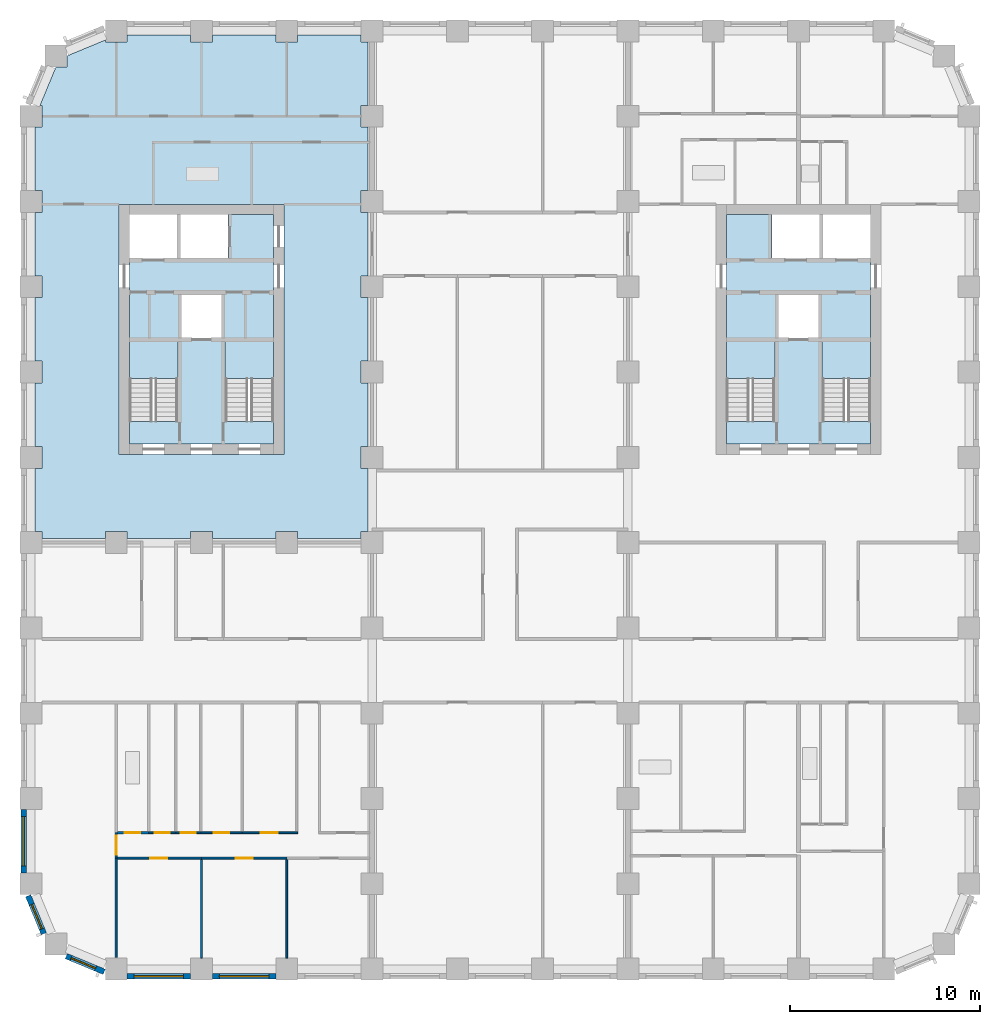
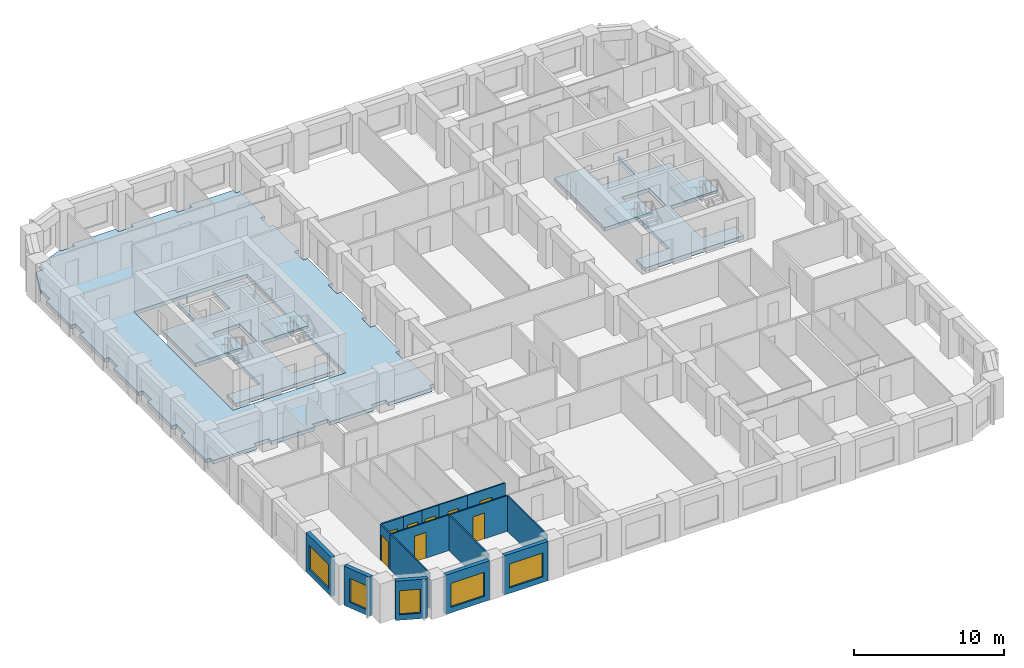
# One storey, part 2 of 13: 16 walls, 8 doors, 7 slabs, 5 windows, 13 openings, 4 elements without a shape of their own.
"""IFC4 building model written with IfcOpenShell, lengths in metres."""

from ifc_helpers import new_model, si_unit, direction, frame, frame_2d, origin, place, context, subcontext, project, spatial, polyline, rectangle, outline, extrude, material, layer, layer_set, type_object, element, fill, aggregate, save


model = new_model("IFC4")

# Units and contexts
model_context = context("Model", 3, precision=1e-05, world=origin(), true_north=direction((0.0, 1.0)))
body_context = subcontext(model_context, "Body", "Model", "MODEL_VIEW")
ifc_project = project(units=[si_unit("LENGTHUNIT", "METRE"), si_unit("AREAUNIT", "SQUARE_METRE"), si_unit("VOLUMEUNIT", "CUBIC_METRE"), si_unit("PLANEANGLEUNIT", "RADIAN"), si_unit("MASSUNIT", "GRAM", prefix="KILO")], contexts=[model_context])

# Site, building, storey
site_placement = place(None, origin())
site = spatial("IfcSite", under=ifc_project, at=site_placement, CompositionType="ELEMENT")
building_placement = place(site_placement, origin())
building = spatial("IfcBuilding", under=site, at=building_placement, Name="Girih Gate Residences", CompositionType="ELEMENT")
storey_placement = place(building_placement, frame((0.0, 0.0, 99.199951171875)))
storey = spatial("IfcBuildingStorey", under=building, at=storey_placement, Name="L27", CompositionType="ELEMENT", Elevation=99.199951171875)

# Slabs
ifc_material_1 = material(Name="Concrete C40/50", Category="concrete")
ifc_layer_1 = layer(ifc_material_1, 0.300048828125)
ifc_layer_set_1 = layer_set([ifc_layer_1], Name="Core floor slab 300")
slab_type_1 = type_object("IfcSlabType", Name="Core floor slab 300", PredefinedType="FLOOR", material=ifc_layer_set_1)
slab_1_placement = place(storey_placement, frame((0.0, 0.0, -0.300048828125)))
element("IfcSlab", 1, at=slab_1_placement, inside=storey, type_object=slab_type_1, Name="L27 W core floor", PredefinedType="FLOOR", context=body_context, shape_type="SweptSolid", body=[
    extrude(outline(polyline([(12.800048828125, 27.699951171875), (5.199951171875, 27.699951171875), (5.199951171875, 28.900634765625), (7.75, 28.900634765625), (7.75, 33.10009765625), (5.199951171875, 33.10009765625), (5.199951171875, 37.5), (7.699951171875, 37.5), (7.699951171875, 39.800048828125), (7.89990234375, 39.800048828125), (7.89990234375, 37.5), (10.39990234375, 37.5), (10.39990234375, 39.800048828125), (12.800048828125, 39.800048828125), (12.800048828125, 33.10009765625), (10.25, 33.10009765625), (10.25, 28.900634765625), (12.800048828125, 28.900634765625), (12.800048828125, 27.699951171875)]), holes=[polyline([(7.949951171875, 33.300048828125), (10.050048828125, 33.300048828125), (10.050048828125, 35.60009765625), (7.949951171875, 35.60009765625), (7.949951171875, 33.300048828125)])]), origin(), (0.0, 0.0, 1.0), 0.300048828125),
])
slab_2_placement = place(storey_placement, frame((0.0, 0.0, -0.300048828125)))
element("IfcSlab", 2, at=slab_2_placement, inside=storey, type_object=slab_type_1, Name="L27 E core floor", PredefinedType="FLOOR", context=body_context, shape_type="SweptSolid", body=[
    extrude(outline(polyline([(44.300048828125, 27.699951171875), (36.699951171875, 27.699951171875), (36.699951171875, 28.900634765625), (39.25, 28.900634765625), (39.25, 33.10009765625), (36.699951171875, 33.10009765625), (36.699951171875, 39.800048828125), (39.10009765625, 39.800048828125), (39.10009765625, 37.5), (41.60009765625, 37.5), (41.60009765625, 39.800048828125), (41.800048828125, 39.800048828125), (41.800048828125, 37.5), (44.300048828125, 37.5), (44.300048828125, 33.10009765625), (41.75, 33.10009765625), (41.75, 28.900634765625), (44.300048828125, 28.900634765625), (44.300048828125, 27.699951171875)]), holes=[polyline([(39.449951171875, 33.300048828125), (41.550048828125, 33.300048828125), (41.550048828125, 35.60009765625), (39.449951171875, 35.60009765625), (39.449951171875, 33.300048828125)])]), origin(), (0.0, 0.0, 1.0), 0.300048828125),
])
ifc_layer_2 = layer(ifc_material_1, 0.300048828125)
ifc_layer_set_2 = layer_set([ifc_layer_2], Name="Floor slab PT 300 Concrete C40/50")
slab_type_2 = type_object("IfcSlabType", Name="Floor slab PT 300 Concrete C40/50", PredefinedType="FLOOR", material=ifc_layer_set_2)
slab_3_placement = place(storey_placement, frame((0.0, 0.0, -0.300048828125)))
element("IfcSlab", 3, at=slab_3_placement, inside=storey, type_object=slab_type_2, Name="Floor slab L27 3", PredefinedType="FLOOR", context=body_context, shape_type="SweptSolid", body=[
    extrude(outline(polyline([(0.22509765625, 26.425048828125), (0.22509765625, 23.074951171875), (0.574951171875, 23.074951171875), (0.574951171875, 22.72509765625), (3.925048828125, 22.72509765625), (3.925048828125, 23.074951171875), (5.074951171875, 23.074951171875), (5.074951171875, 22.72509765625), (8.425048828125, 22.72509765625), (8.425048828125, 23.074951171875), (9.574951171875, 23.074951171875), (9.574951171875, 22.72509765625), (12.925048828125, 22.72509765625), (12.925048828125, 23.074951171875), (14.074951171875, 23.074951171875), (14.074951171875, 22.72509765625), (17.425048828125, 22.72509765625), (17.425048828125, 23.074951171875), (17.77490234375, 23.074951171875), (17.77490234375, 26.425048828125), (17.425048828125, 26.425048828125), (17.425048828125, 27.574951171875), (17.77490234375, 27.574951171875), (17.77490234375, 30.925048828125), (17.425048828125, 30.925048828125), (17.425048828125, 32.074951171875), (17.77490234375, 32.074951171875), (17.77490234375, 35.425048828125), (17.425048828125, 35.425048828125), (17.425048828125, 36.574951171875), (17.77490234375, 36.574951171875), (17.77490234375, 39.925048828125), (17.425048828125, 39.925048828125), (17.425048828125, 41.074951171875), (17.77490234375, 41.074951171875), (17.77490234375, 44.425048828125), (17.425048828125, 44.425048828125), (17.425048828125, 45.574951171875), (17.77490234375, 45.574951171875), (17.77490234375, 48.925048828125), (17.425048828125, 48.925048828125), (17.425048828125, 49.27490234375), (14.074951171875, 49.27490234375), (14.074951171875, 48.925048828125), (12.925048828125, 48.925048828125), (12.925048828125, 49.27490234375), (9.574951171875, 49.27490234375), (9.574951171875, 48.925048828125), (8.425048828125, 48.925048828125), (8.425048828125, 49.27490234375), (5.074951171875, 49.27490234375), (5.074951171875, 48.925048828125), (3.925048828125, 48.925048828125), (3.925048828125, 49.018310546875), (1.89306640625, 48.176513671875), (1.89306640625, 47.60693359375), (1.323486328125, 47.60693359375), (0.481689453125, 45.574951171875), (0.574951171875, 45.574951171875), (0.574951171875, 44.425048828125), (0.22509765625, 44.425048828125), (0.22509765625, 41.074951171875), (0.574951171875, 41.074951171875), (0.574951171875, 39.925048828125), (0.22509765625, 39.925048828125), (0.22509765625, 36.574951171875), (0.574951171875, 36.574951171875), (0.574951171875, 35.425048828125), (0.22509765625, 35.425048828125), (0.22509765625, 32.074951171875), (0.574951171875, 32.074951171875), (0.574951171875, 30.925048828125), (0.22509765625, 30.925048828125), (0.22509765625, 27.574951171875), (0.574951171875, 27.574951171875), (0.574951171875, 26.425048828125), (0.22509765625, 26.425048828125)]), holes=[polyline([(13.35009765625, 40.35009765625), (13.35009765625, 27.14990234375), (4.64990234375, 27.14990234375), (4.64990234375, 40.35009765625), (13.35009765625, 40.35009765625)])]), origin(), (0.0, 0.0, 1.0), 0.300048828125),
])

# Stair, slab
stair_type = type_object("IfcStairType", Name="Exit stair", PredefinedType="HALF_TURN_STAIR", material=ifc_material_1)
stair_1_placement = place(storey_placement, origin())
stair_1 = element("IfcStair", 4, at=stair_1_placement, inside=storey, type_object=stair_type, Name="L27 Exit Stair ST-W1", PredefinedType="HALF_TURN_STAIR")
ifc_layer_3 = layer(ifc_material_1, 0.199951171875)
ifc_layer_set_3 = layer_set([ifc_layer_3], Name="Stair landing 200")
slab_type_3 = type_object("IfcSlabType", Name="Stair landing 200", PredefinedType="LANDING", material=ifc_layer_set_3)
slab_4_placement = place(storey_placement, frame((0.0, 0.0, 1.400146484375)))
slab_4 = element("IfcSlab", 5, at=slab_4_placement, type_object=slab_type_3, Name="ST-W1 landing 1", PredefinedType="LANDING", context=body_context, shape_type="SweptSolid", body=[
    extrude(outline(polyline([(7.75, 31.14990234375), (7.75, 33.10009765625), (5.199951171875, 33.10009765625), (5.199951171875, 31.14990234375), (7.75, 31.14990234375)])), origin(), (0.0, 0.0, 1.0), 0.199951171875),
])
aggregate(stair_1, [slab_4])

stair_2_placement = place(storey_placement, origin())
stair_2 = element("IfcStair", 6, at=stair_2_placement, inside=storey, type_object=stair_type, Name="L27 Exit Stair ST-W2", PredefinedType="HALF_TURN_STAIR")
slab_5_placement = place(storey_placement, frame((0.0, 0.0, 1.400146484375)))
slab_5 = element("IfcSlab", 7, at=slab_5_placement, type_object=slab_type_3, Name="ST-W2 landing 1", PredefinedType="LANDING", context=body_context, shape_type="SweptSolid", body=[
    extrude(outline(polyline([(12.800048828125, 31.14990234375), (12.800048828125, 33.10009765625), (10.25, 33.10009765625), (10.25, 31.14990234375), (12.800048828125, 31.14990234375)])), origin(), (0.0, 0.0, 1.0), 0.199951171875),
])
aggregate(stair_2, [slab_5])

stair_3_placement = place(storey_placement, origin())
stair_3 = element("IfcStair", 8, at=stair_3_placement, inside=storey, type_object=stair_type, Name="L27 Exit Stair ST-E1", PredefinedType="HALF_TURN_STAIR")
slab_6_placement = place(storey_placement, frame((0.0, 0.0, 1.400146484375)))
slab_6 = element("IfcSlab", 9, at=slab_6_placement, type_object=slab_type_3, Name="ST-E1 landing 1", PredefinedType="LANDING", context=body_context, shape_type="SweptSolid", body=[
    extrude(outline(polyline([(44.300048828125, 31.14990234375), (44.300048828125, 33.10009765625), (41.75, 33.10009765625), (41.75, 31.14990234375), (44.300048828125, 31.14990234375)])), origin(), (0.0, 0.0, 1.0), 0.199951171875),
])
aggregate(stair_3, [slab_6])

stair_4_placement = place(storey_placement, origin())
stair_4 = element("IfcStair", 10, at=stair_4_placement, inside=storey, type_object=stair_type, Name="L27 Exit Stair ST-E2", PredefinedType="HALF_TURN_STAIR")
slab_7_placement = place(storey_placement, frame((0.0, 0.0, 1.400146484375)))
slab_7 = element("IfcSlab", 11, at=slab_7_placement, type_object=slab_type_3, Name="ST-E2 landing 1", PredefinedType="LANDING", context=body_context, shape_type="SweptSolid", body=[
    extrude(outline(polyline([(39.25, 31.14990234375), (39.25, 33.10009765625), (36.699951171875, 33.10009765625), (36.699951171875, 31.14990234375), (39.25, 31.14990234375)])), origin(), (0.0, 0.0, 1.0), 0.199951171875),
])
aggregate(stair_4, [slab_7])

# Wall
ifc_material_2 = material(Name="Gypsum board on steel studs", Category="steel")
ifc_layer_4 = layer(ifc_material_2, 0.10009765625)
ifc_layer_set_4 = layer_set([ifc_layer_4], Name="Partition 100 mm")
wall_type_1 = type_object("IfcWallType", Name="Partition 100 mm", PredefinedType="PARTITIONING", material=ifc_layer_set_4)
wall_1_placement = place(storey_placement, frame((9.0, 0.574951171875, 0.0), z_axis=(0.0, 0.0, 1.0), x_axis=(0.0, 1.0, 0.0)))
element("IfcWall", 12, at=wall_1_placement, inside=storey, type_object=wall_type_1, Name="L27 partition", PredefinedType="PARTITIONING", context=body_context, shape_type="SweptSolid", body=[
    extrude(rectangle(XDim=5.22998046875, YDim=0.10009765625, at=frame_2d((2.614990234375, 0.0))), origin(), (0.0, 0.0, 1.0), 2.900146484375),
])

# Wall, opening, door
wall_2_placement = place(storey_placement, frame((9.0, 5.85498046875, 0.0), z_axis=(0.0, 0.0, 1.0), x_axis=(-1.0, 0.0, 0.0)))
wall_2 = element("IfcWall", 13, at=wall_2_placement, inside=storey, type_object=wall_type_1, Name="L27 partition", PredefinedType="PARTITIONING", context=body_context, shape_type="SweptSolid", body=[
    extrude(rectangle(XDim=4.449951171875, YDim=0.10009765625, at=frame_2d((2.22509765625, 0.0))), origin(), (0.0, 0.0, 1.0), 2.900146484375),
])
opening_1_placement = place(wall_2_placement, frame((1.800048828125, 0.0, 0.0)))
opening_1 = element("IfcOpeningElement", 14, at=opening_1_placement, cuts=wall_2, Name="Opening A27-002", PredefinedType="OPENING", context=body_context, shape_type="SweptSolid", body=[
    extrude(rectangle(XDim=0.89990234375, YDim=2.10009765625, at=frame_2d((0.449951171875, 1.050048828125))), frame((0.0, 0.06005859375, 0.0), z_axis=(0.0, -1.0, 0.0), x_axis=(1.0, 0.0, 0.0)), (0.0, 0.0, 1.0), 0.1201171875),
])
ifc_material_3 = material(Name="Timber", Category="wood")
door_type_1 = type_object("IfcDoorType", Name="Bedroom door 900x2100", OperationType="NOTDEFINED", PredefinedType="DOOR", material=ifc_material_3)
door_1_placement = place(opening_1_placement, origin())
door_1 = element("IfcDoor", 15, at=door_1_placement, inside=storey, type_object=door_type_1, Name="Door A27-002", OperationType="SINGLE_SWING_RIGHT", OverallHeight=2.10009765625, OverallWidth=0.89990234375, PredefinedType="DOOR", context=body_context, shape_type="SweptSolid", body=[
    extrude(rectangle(XDim=0.89990234375, YDim=2.10009765625, at=frame_2d((0.449951171875, 1.050048828125))), frame((0.0, 0.02490234375, 0.0), z_axis=(0.0, -1.0, 0.0), x_axis=(1.0, 0.0, 0.0)), (0.0, 0.0, 1.0), 0.050048828125),
])
fill(opening_1, door_1)

# Walls
wall_3_placement = place(storey_placement, frame((4.5, 0.622314453125, 0.0), z_axis=(0.0, 0.0, 1.0), x_axis=(0.0, 1.0, 0.0)))
element("IfcWall", 16, at=wall_3_placement, inside=storey, type_object=wall_type_1, Name="L27 partition", PredefinedType="PARTITIONING", context=body_context, shape_type="SweptSolid", body=[
    extrude(rectangle(XDim=5.232666015625, YDim=0.10009765625, at=frame_2d((2.6162109375, 0.0))), origin(), (0.0, 0.0, 1.0), 2.900146484375),
])
wall_4_placement = place(storey_placement, frame((13.5, 0.574951171875, 0.0), z_axis=(0.0, 0.0, 1.0), x_axis=(0.0, 1.0, 0.0)))
element("IfcWall", 17, at=wall_4_placement, inside=storey, type_object=wall_type_1, Name="L27 partition", PredefinedType="PARTITIONING", context=body_context, shape_type="SweptSolid", body=[
    extrude(rectangle(XDim=5.22998046875, YDim=0.10009765625, at=frame_2d((2.614990234375, 0.0))), origin(), (0.0, 0.0, 1.0), 2.900146484375),
])

# Wall, opening, door
wall_5_placement = place(storey_placement, frame((13.5, 5.85498046875, 0.0), z_axis=(0.0, 0.0, 1.0), x_axis=(-1.0, 0.0, 0.0)))
wall_5 = element("IfcWall", 18, at=wall_5_placement, inside=storey, type_object=wall_type_1, Name="L27 partition", PredefinedType="PARTITIONING", context=body_context, shape_type="SweptSolid", body=[
    extrude(rectangle(XDim=4.5, YDim=0.10009765625, at=frame_2d((2.25, 0.0))), origin(), (0.0, 0.0, 1.0), 2.900146484375),
])
opening_2_placement = place(wall_5_placement, frame((1.800048828125, 0.0, 0.0)))
opening_2 = element("IfcOpeningElement", 19, at=opening_2_placement, cuts=wall_5, Name="Opening A27-003", PredefinedType="OPENING", context=body_context, shape_type="SweptSolid", body=[
    extrude(rectangle(XDim=0.89990234375, YDim=2.10009765625, at=frame_2d((0.449951171875, 1.050048828125))), frame((0.0, 0.06005859375, 0.0), z_axis=(0.0, -1.0, 0.0), x_axis=(1.0, 0.0, 0.0)), (0.0, 0.0, 1.0), 0.1201171875),
])
door_2_placement = place(opening_2_placement, origin())
door_2 = element("IfcDoor", 20, at=door_2_placement, inside=storey, type_object=door_type_1, Name="Door A27-003", OperationType="SINGLE_SWING_LEFT", OverallHeight=2.10009765625, OverallWidth=0.89990234375, PredefinedType="DOOR", context=body_context, shape_type="SweptSolid", body=[
    extrude(rectangle(XDim=0.89990234375, YDim=2.10009765625, at=frame_2d((0.449951171875, 1.050048828125))), frame((0.0, 0.02490234375, 0.0), z_axis=(0.0, -1.0, 0.0), x_axis=(1.0, 0.0, 0.0)), (0.0, 0.0, 1.0), 0.050048828125),
])
fill(opening_2, door_2)

wall_6_placement = place(storey_placement, frame((8.96533203125, 7.195068359375, 0.0), z_axis=(0.0, 0.0, 1.0), x_axis=(1.0, 0.0, 0.0)))
wall_6 = element("IfcWall", 21, at=wall_6_placement, inside=storey, type_object=wall_type_1, Name="L27 partition", PredefinedType="PARTITIONING", context=body_context, shape_type="SweptSolid", body=[
    extrude(rectangle(XDim=2.179931640625, YDim=0.10009765625, at=frame_2d((1.08984375, 0.0))), origin(), (0.0, 0.0, 1.0), 2.900146484375),
])
opening_3_placement = place(wall_6_placement, frame((0.68994140625, 0.0, 0.0)))
opening_3 = element("IfcOpeningElement", 22, at=opening_3_placement, cuts=wall_6, Name="Opening A27-005", PredefinedType="OPENING", context=body_context, shape_type="SweptSolid", body=[
    extrude(rectangle(XDim=0.800048828125, YDim=2.10009765625, at=frame_2d((0.39990234375, 1.050048828125))), frame((0.0, 0.06005859375, 0.0), z_axis=(0.0, -1.0, 0.0), x_axis=(1.0, 0.0, 0.0)), (0.0, 0.0, 1.0), 0.1201171875),
])
door_type_2 = type_object("IfcDoorType", Name="Store door 800x2100", OperationType="NOTDEFINED", PredefinedType="DOOR", material=ifc_material_3)
door_3_placement = place(opening_3_placement, origin())
door_3 = element("IfcDoor", 23, at=door_3_placement, inside=storey, type_object=door_type_2, Name="Door A27-005", OperationType="SINGLE_SWING_RIGHT", OverallHeight=2.10009765625, OverallWidth=0.800048828125, PredefinedType="DOOR", context=body_context, shape_type="SweptSolid", body=[
    extrude(rectangle(XDim=0.800048828125, YDim=2.10009765625, at=frame_2d((0.39990234375, 1.050048828125))), frame((0.0, 0.02490234375, 0.0), z_axis=(0.0, -1.0, 0.0), x_axis=(1.0, 0.0, 0.0)), (0.0, 0.0, 1.0), 0.050048828125),
])
fill(opening_3, door_3)

wall_7_placement = place(storey_placement, frame((4.5, 5.85498046875, 0.0), z_axis=(0.0, 0.0, 1.0), x_axis=(0.0, 1.0, 0.0)))
wall_7 = element("IfcWall", 24, at=wall_7_placement, inside=storey, type_object=wall_type_1, Name="L27 partition", PredefinedType="PARTITIONING", context=body_context, shape_type="SweptSolid", body=[
    extrude(rectangle(XDim=1.340087890625, YDim=0.10009765625, at=frame_2d((0.669921875, 0.0))), origin(), (0.0, 0.0, 1.0), 2.900146484375),
])
opening_4_placement = place(wall_7_placement, frame((0.169921875, 0.0, 0.0)))
opening_4 = element("IfcOpeningElement", 25, at=opening_4_placement, cuts=wall_7, Name="Opening A27-007", PredefinedType="OPENING", context=body_context, shape_type="SweptSolid", body=[
    extrude(rectangle(XDim=1.0, YDim=2.10009765625, at=frame_2d((0.5, 1.050048828125))), frame((0.0, 0.06005859375, 0.0), z_axis=(0.0, -1.0, 0.0), x_axis=(1.0, 0.0, 0.0)), (0.0, 0.0, 1.0), 0.1201171875),
])
door_type_3 = type_object("IfcDoorType", Name="Living room door 1000x2100", OperationType="NOTDEFINED", PredefinedType="DOOR", material=ifc_material_3)
door_4_placement = place(opening_4_placement, origin())
door_4 = element("IfcDoor", 26, at=door_4_placement, inside=storey, type_object=door_type_3, Name="Door A27-007", OperationType="SINGLE_SWING_RIGHT", OverallHeight=2.10009765625, OverallWidth=1.0, PredefinedType="DOOR", context=body_context, shape_type="SweptSolid", body=[
    extrude(rectangle(XDim=1.0, YDim=2.10009765625, at=frame_2d((0.5, 1.050048828125))), frame((0.0, 0.02490234375, 0.0), z_axis=(0.0, -1.0, 0.0), x_axis=(1.0, 0.0, 0.0)), (0.0, 0.0, 1.0), 0.050048828125),
])
fill(opening_4, door_4)

wall_8_placement = place(storey_placement, frame((7.64697265625, 7.195068359375, 0.0), z_axis=(0.0, 0.0, 1.0), x_axis=(1.0, 0.0, 0.0)))
wall_8 = element("IfcWall", 27, at=wall_8_placement, inside=storey, type_object=wall_type_1, Name="L27 partition", PredefinedType="PARTITIONING", context=body_context, shape_type="SweptSolid", body=[
    extrude(rectangle(XDim=1.318359375, YDim=0.10009765625, at=frame_2d((0.6591796875, 0.0))), origin(), (0.0, 0.0, 1.0), 2.900146484375),
])
opening_5_placement = place(wall_8_placement, frame((0.25927734375, 0.0, 0.0)))
opening_5 = element("IfcOpeningElement", 28, at=opening_5_placement, cuts=wall_8, Name="Opening A27-008", PredefinedType="OPENING", context=body_context, shape_type="SweptSolid", body=[
    extrude(rectangle(XDim=0.800048828125, YDim=2.10009765625, at=frame_2d((0.39990234375, 1.050048828125))), frame((0.0, 0.06005859375, 0.0), z_axis=(0.0, -1.0, 0.0), x_axis=(1.0, 0.0, 0.0)), (0.0, 0.0, 1.0), 0.1201171875),
])
door_5_placement = place(opening_5_placement, origin())
door_5 = element("IfcDoor", 29, at=door_5_placement, inside=storey, type_object=door_type_2, Name="Door A27-008", OperationType="SINGLE_SWING_RIGHT", OverallHeight=2.10009765625, OverallWidth=0.800048828125, PredefinedType="DOOR", context=body_context, shape_type="SweptSolid", body=[
    extrude(rectangle(XDim=0.800048828125, YDim=2.10009765625, at=frame_2d((0.39990234375, 1.050048828125))), frame((0.0, 0.02490234375, 0.0), z_axis=(0.0, -1.0, 0.0), x_axis=(1.0, 0.0, 0.0)), (0.0, 0.0, 1.0), 0.050048828125),
])
fill(opening_5, door_5)

wall_9_placement = place(storey_placement, frame((11.145263671875, 7.195068359375, 0.0), z_axis=(0.0, 0.0, 1.0), x_axis=(1.0, 0.0, 0.0)))
wall_9 = element("IfcWall", 30, at=wall_9_placement, inside=storey, type_object=wall_type_1, Name="L27 partition", PredefinedType="PARTITIONING", context=body_context, shape_type="SweptSolid", body=[
    extrude(rectangle(XDim=2.9296875, YDim=0.10009765625, at=frame_2d((1.46484375, 0.0))), origin(), (0.0, 0.0, 1.0), 2.900146484375),
])
opening_6_placement = place(wall_9_placement, frame((0.989990234375, 0.0, 0.0)))
opening_6 = element("IfcOpeningElement", 31, at=opening_6_placement, cuts=wall_9, Name="Opening A27-009", PredefinedType="OPENING", context=body_context, shape_type="SweptSolid", body=[
    extrude(rectangle(XDim=0.89990234375, YDim=2.10009765625, at=frame_2d((0.449951171875, 1.050048828125))), frame((0.0, 0.06005859375, 0.0), z_axis=(0.0, -1.0, 0.0), x_axis=(1.0, 0.0, 0.0)), (0.0, 0.0, 1.0), 0.1201171875),
])
door_6_placement = place(opening_6_placement, origin())
door_6 = element("IfcDoor", 32, at=door_6_placement, inside=storey, type_object=door_type_1, Name="Door A27-009", OperationType="SINGLE_SWING_LEFT", OverallHeight=2.10009765625, OverallWidth=0.89990234375, PredefinedType="DOOR", context=body_context, shape_type="SweptSolid", body=[
    extrude(rectangle(XDim=0.89990234375, YDim=2.10009765625, at=frame_2d((0.449951171875, 1.050048828125))), frame((0.0, 0.02490234375, 0.0), z_axis=(0.0, -1.0, 0.0), x_axis=(1.0, 0.0, 0.0)), (0.0, 0.0, 1.0), 0.050048828125),
])
fill(opening_6, door_6)

wall_10_placement = place(storey_placement, frame((6.21728515625, 7.195068359375, 0.0), z_axis=(0.0, 0.0, 1.0), x_axis=(1.0, 0.0, 0.0)))
wall_10 = element("IfcWall", 33, at=wall_10_placement, inside=storey, type_object=wall_type_1, Name="L27 partition", PredefinedType="PARTITIONING", context=body_context, shape_type="SweptSolid", body=[
    extrude(rectangle(XDim=1.4296875, YDim=0.10009765625, at=frame_2d((0.71484375, 0.0))), origin(), (0.0, 0.0, 1.0), 2.900146484375),
])
opening_7_placement = place(wall_10_placement, frame((0.314697265625, 0.0, 0.0)))
opening_7 = element("IfcOpeningElement", 34, at=opening_7_placement, cuts=wall_10, Name="Opening A27-010", PredefinedType="OPENING", context=body_context, shape_type="SweptSolid", body=[
    extrude(rectangle(XDim=0.800048828125, YDim=2.10009765625, at=frame_2d((0.39990234375, 1.050048828125))), frame((0.0, 0.06005859375, 0.0), z_axis=(0.0, -1.0, 0.0), x_axis=(1.0, 0.0, 0.0)), (0.0, 0.0, 1.0), 0.1201171875),
])
door_7_placement = place(opening_7_placement, origin())
door_7 = element("IfcDoor", 35, at=door_7_placement, inside=storey, type_object=door_type_2, Name="Door A27-010", OperationType="SINGLE_SWING_RIGHT", OverallHeight=2.10009765625, OverallWidth=0.800048828125, PredefinedType="DOOR", context=body_context, shape_type="SweptSolid", body=[
    extrude(rectangle(XDim=0.800048828125, YDim=2.10009765625, at=frame_2d((0.39990234375, 1.050048828125))), frame((0.0, 0.02490234375, 0.0), z_axis=(0.0, -1.0, 0.0), x_axis=(1.0, 0.0, 0.0)), (0.0, 0.0, 1.0), 0.050048828125),
])
fill(opening_7, door_7)

# Wall, opening, window
ifc_material_4 = material(Name="Precast concrete C50/60", Category="concrete")
ifc_layer_5 = layer(ifc_material_4, 0.080078125, Name="Outer leaf")
ifc_material_5 = material(Name="Rigid PIR insulation")
ifc_layer_6 = layer(ifc_material_5, 0.14990234375, Name="Insulation")
ifc_material_6 = material(Name="Precast concrete C40/50", Category="concrete")
ifc_layer_7 = layer(ifc_material_6, 0.070068359375, Name="Inner leaf")
ifc_layer_set_5 = layer_set([ifc_layer_5, ifc_layer_6, ifc_layer_7], Name="Precast concrete C50/60 external wall 300")
wall_type_2 = type_object("IfcWallType", Name="Precast concrete C50/60 external wall 300", PredefinedType="SOLIDWALL", material=ifc_layer_set_5)
wall_11_placement = place(storey_placement, frame((0.68408203125, 1.86865234375, 0.0), z_axis=(0.0, 0.0, 1.0), x_axis=(-0.382723818695, 0.923862802911, 0.0)))
wall_11 = element("IfcWall", 36, at=wall_11_placement, inside=storey, type_object=wall_type_2, Name="External wall SW0000_0045.0", PredefinedType="SOLIDWALL", context=body_context, shape_type="SweptSolid", body=[
    extrude(rectangle(XDim=2.163818359375, YDim=0.300048828125, at=frame_2d((1.08203125, 0.0))), origin(), (0.0, 0.0, 1.0), 3.199951171875),
])
opening_8_placement = place(wall_11_placement, frame((0.270751953125, 0.0, 0.449951171875)))
opening_8 = element("IfcOpeningElement", 37, at=opening_8_placement, cuts=wall_11, Name="Opening W-2D", PredefinedType="OPENING", context=body_context, shape_type="SweptSolid", body=[
    extrude(rectangle(XDim=1.39990234375, YDim=1.949951171875, at=frame_2d((0.699951171875, 0.97509765625))), frame((0.0, 0.159912109375, 0.0), z_axis=(0.0, -1.0, 0.0), x_axis=(1.0, 0.0, 0.0)), (0.0, 0.0, 1.0), 0.320068359375),
])
ifc_material_7 = material(Name="Double glazing in aluminium frame", Category="aluminium")
window_type_1 = type_object("IfcWindowType", Name="Window W-2D 1400x1950", PartitioningType="SINGLE_PANEL", PredefinedType="WINDOW", material=ifc_material_7)
window_1_placement = place(opening_8_placement, origin())
window_1 = element("IfcWindow", 38, at=window_1_placement, inside=storey, type_object=window_type_1, Name="Window W-2D SW0000_0045.0", OverallHeight=1.949951171875, OverallWidth=1.39990234375, PartitioningType="SINGLE_PANEL", PredefinedType="WINDOW", context=body_context, shape_type="SweptSolid", body=[
    extrude(rectangle(XDim=1.39990234375, YDim=1.949951171875, at=frame_2d((0.699951171875, 0.97509765625))), frame((0.0, 0.030029296875, 0.0), z_axis=(0.0, -1.0, 0.0), x_axis=(1.0, 0.0, 0.0)), (0.0, 0.0, 1.0), 0.06005859375),
])
fill(opening_8, window_1)

wall_12_placement = place(storey_placement, frame((3.86767578125, -0.14404296875, 0.0), z_axis=(0.0, 0.0, 1.0), x_axis=(-0.923862802911, 0.382723818695, 0.0)))
wall_12 = element("IfcWall", 39, at=wall_12_placement, inside=storey, type_object=wall_type_2, Name="External wall SW0013_0013.0", PredefinedType="SOLIDWALL", context=body_context, shape_type="SweptSolid", body=[
    extrude(rectangle(XDim=2.163818359375, YDim=0.300048828125, at=frame_2d((1.08203125, 0.0))), origin(), (0.0, 0.0, 1.0), 3.199951171875),
])
opening_9_placement = place(wall_12_placement, frame((0.492919921875, 0.0, 0.449951171875)))
opening_9 = element("IfcOpeningElement", 40, at=opening_9_placement, cuts=wall_12, Name="Opening W-2D", PredefinedType="OPENING", context=body_context, shape_type="SweptSolid", body=[
    extrude(rectangle(XDim=1.39990234375, YDim=1.949951171875, at=frame_2d((0.699951171875, 0.97509765625))), frame((0.0, 0.159912109375, 0.0), z_axis=(0.0, -1.0, 0.0), x_axis=(1.0, 0.0, 0.0)), (0.0, 0.0, 1.0), 0.320068359375),
])
window_2_placement = place(opening_9_placement, origin())
window_2 = element("IfcWindow", 41, at=window_2_placement, inside=storey, type_object=window_type_1, Name="Window W-2D SW0013_0013.0", OverallHeight=1.949951171875, OverallWidth=1.39990234375, PartitioningType="SINGLE_PANEL", PredefinedType="WINDOW", context=body_context, shape_type="SweptSolid", body=[
    extrude(rectangle(XDim=1.39990234375, YDim=1.949951171875, at=frame_2d((0.699951171875, 0.97509765625))), frame((0.0, 0.030029296875, 0.0), z_axis=(0.0, -1.0, 0.0), x_axis=(1.0, 0.0, 0.0)), (0.0, 0.0, 1.0), 0.06005859375),
])
fill(opening_9, window_2)

wall_13_placement = place(storey_placement, frame((8.425048828125, -0.375, 0.0), z_axis=(0.0, 0.0, 1.0), x_axis=(-1.0, 0.0, 0.0)))
wall_13 = element("IfcWall", 42, at=wall_13_placement, inside=storey, type_object=wall_type_2, Name="External wall S0045_0000.0", PredefinedType="SOLIDWALL", context=body_context, shape_type="SweptSolid", body=[
    extrude(rectangle(XDim=3.35009765625, YDim=0.300048828125, at=frame_2d((1.675048828125, 0.0))), origin(), (0.0, 0.0, 1.0), 3.199951171875),
])
opening_10_placement = place(wall_13_placement, frame((0.375, 0.0, 0.449951171875)))
opening_10 = element("IfcOpeningElement", 43, at=opening_10_placement, cuts=wall_13, Name="Opening W-1A", PredefinedType="OPENING", context=body_context, shape_type="SweptSolid", body=[
    extrude(rectangle(XDim=2.60009765625, YDim=1.949951171875, at=frame_2d((1.300048828125, 0.97509765625))), frame((0.0, 0.159912109375, 0.0), z_axis=(0.0, -1.0, 0.0), x_axis=(1.0, 0.0, 0.0)), (0.0, 0.0, 1.0), 0.320068359375),
])
window_type_2 = type_object("IfcWindowType", Name="Window W-1A 2600x1950", PartitioningType="SINGLE_PANEL", PredefinedType="WINDOW", material=ifc_material_7)
window_3_placement = place(opening_10_placement, origin())
window_3 = element("IfcWindow", 44, at=window_3_placement, inside=storey, type_object=window_type_2, Name="Window W-1A S0045_0000.0", OverallHeight=1.949951171875, OverallWidth=2.60009765625, PartitioningType="SINGLE_PANEL", PredefinedType="WINDOW", context=body_context, shape_type="SweptSolid", body=[
    extrude(rectangle(XDim=2.60009765625, YDim=1.949951171875, at=frame_2d((1.300048828125, 0.97509765625))), frame((0.0, 0.030029296875, 0.0), z_axis=(0.0, -1.0, 0.0), x_axis=(1.0, 0.0, 0.0)), (0.0, 0.0, 1.0), 0.06005859375),
])
fill(opening_10, window_3)

wall_14_placement = place(storey_placement, frame((12.925048828125, -0.375, 0.0), z_axis=(0.0, 0.0, 1.0), x_axis=(-1.0, 0.0, 0.0)))
wall_14 = element("IfcWall", 45, at=wall_14_placement, inside=storey, type_object=wall_type_2, Name="External wall S0045_0000.1", PredefinedType="SOLIDWALL", context=body_context, shape_type="SweptSolid", body=[
    extrude(rectangle(XDim=3.35009765625, YDim=0.300048828125, at=frame_2d((1.675048828125, 0.0))), origin(), (0.0, 0.0, 1.0), 3.199951171875),
])
opening_11_placement = place(wall_14_placement, frame((0.375, 0.0, 0.449951171875)))
opening_11 = element("IfcOpeningElement", 46, at=opening_11_placement, cuts=wall_14, Name="Opening W-1A", PredefinedType="OPENING", context=body_context, shape_type="SweptSolid", body=[
    extrude(rectangle(XDim=2.60009765625, YDim=1.949951171875, at=frame_2d((1.300048828125, 0.97509765625))), frame((0.0, 0.159912109375, 0.0), z_axis=(0.0, -1.0, 0.0), x_axis=(1.0, 0.0, 0.0)), (0.0, 0.0, 1.0), 0.320068359375),
])
window_4_placement = place(opening_11_placement, origin())
window_4 = element("IfcWindow", 47, at=window_4_placement, inside=storey, type_object=window_type_2, Name="Window W-1A S0045_0000.1", OverallHeight=1.949951171875, OverallWidth=2.60009765625, PartitioningType="SINGLE_PANEL", PredefinedType="WINDOW", context=body_context, shape_type="SweptSolid", body=[
    extrude(rectangle(XDim=2.60009765625, YDim=1.949951171875, at=frame_2d((1.300048828125, 0.97509765625))), frame((0.0, 0.030029296875, 0.0), z_axis=(0.0, -1.0, 0.0), x_axis=(1.0, 0.0, 0.0)), (0.0, 0.0, 1.0), 0.06005859375),
])
fill(opening_11, window_4)

wall_15_placement = place(storey_placement, frame((-0.375, 5.074951171875, 0.0), z_axis=(0.0, 0.0, 1.0), x_axis=(0.0, 1.0, 0.0)))
wall_15 = element("IfcWall", 48, at=wall_15_placement, inside=storey, type_object=wall_type_2, Name="External wall W0000_0450.8", PredefinedType="SOLIDWALL", context=body_context, shape_type="SweptSolid", body=[
    extrude(rectangle(XDim=3.35009765625, YDim=0.300048828125, at=frame_2d((1.675048828125, 0.0))), origin(), (0.0, 0.0, 1.0), 3.199951171875),
])
opening_12_placement = place(wall_15_placement, frame((0.375, 0.0, 0.449951171875)))
opening_12 = element("IfcOpeningElement", 49, at=opening_12_placement, cuts=wall_15, Name="Opening W-1A", PredefinedType="OPENING", context=body_context, shape_type="SweptSolid", body=[
    extrude(rectangle(XDim=2.60009765625, YDim=1.949951171875, at=frame_2d((1.300048828125, 0.97509765625))), frame((0.0, 0.159912109375, 0.0), z_axis=(0.0, -1.0, 0.0), x_axis=(1.0, 0.0, 0.0)), (0.0, 0.0, 1.0), 0.320068359375),
])
window_5_placement = place(opening_12_placement, origin())
window_5 = element("IfcWindow", 50, at=window_5_placement, inside=storey, type_object=window_type_2, Name="Window W-1A W0000_0450.8", OverallHeight=1.949951171875, OverallWidth=2.60009765625, PartitioningType="SINGLE_PANEL", PredefinedType="WINDOW", context=body_context, shape_type="SweptSolid", body=[
    extrude(rectangle(XDim=2.60009765625, YDim=1.949951171875, at=frame_2d((1.300048828125, 0.97509765625))), frame((0.0, 0.030029296875, 0.0), z_axis=(0.0, -1.0, 0.0), x_axis=(1.0, 0.0, 0.0)), (0.0, 0.0, 1.0), 0.06005859375),
])
fill(opening_12, window_5)

# Wall, opening, door
ifc_layer_8 = layer(ifc_material_2, 0.125)
ifc_layer_set_6 = layer_set([ifc_layer_8], Name="Wet room wall 125 mm")
wall_type_3 = type_object("IfcWallType", Name="Wet room wall 125 mm", PredefinedType="PARTITIONING", material=ifc_layer_set_6)
wall_16_placement = place(storey_placement, frame((4.5625, 7.195068359375, 0.0), z_axis=(0.0, 0.0, 1.0), x_axis=(1.0, 0.0, 0.0)))
wall_16 = element("IfcWall", 51, at=wall_16_placement, inside=storey, type_object=wall_type_3, Name="L27 partition", PredefinedType="PARTITIONING", context=body_context, shape_type="SweptSolid", body=[
    extrude(rectangle(XDim=1.65478515625, YDim=0.125, at=frame_2d((0.827392578125, 0.0))), origin(), (0.0, 0.0, 1.0), 2.900146484375),
])
opening_13_placement = place(wall_16_placement, frame((0.396240234375, 0.0, 0.0)))
opening_13 = element("IfcOpeningElement", 52, at=opening_13_placement, cuts=wall_16, Name="Opening A27-001", PredefinedType="OPENING", context=body_context, shape_type="SweptSolid", body=[
    extrude(rectangle(XDim=0.800048828125, YDim=2.10009765625, at=frame_2d((0.39990234375, 1.050048828125))), frame((0.0, 0.072509765625, 0.0), z_axis=(0.0, -1.0, 0.0), x_axis=(1.0, 0.0, 0.0)), (0.0, 0.0, 1.0), 0.14501953125),
])
door_type_4 = type_object("IfcDoorType", Name="Bathroom door 800x2100", OperationType="NOTDEFINED", PredefinedType="DOOR", material=ifc_material_3)
door_8_placement = place(opening_13_placement, origin())
door_8 = element("IfcDoor", 53, at=door_8_placement, inside=storey, type_object=door_type_4, Name="Door A27-001", OperationType="SINGLE_SWING_LEFT", OverallHeight=2.10009765625, OverallWidth=0.800048828125, PredefinedType="DOOR", context=body_context, shape_type="SweptSolid", body=[
    extrude(rectangle(XDim=0.800048828125, YDim=2.10009765625, at=frame_2d((0.39990234375, 1.050048828125))), frame((0.0, 0.02490234375, 0.0), z_axis=(0.0, -1.0, 0.0), x_axis=(1.0, 0.0, 0.0)), (0.0, 0.0, 1.0), 0.050048828125),
])
fill(opening_13, door_8)

save(model, "model.ifc")
